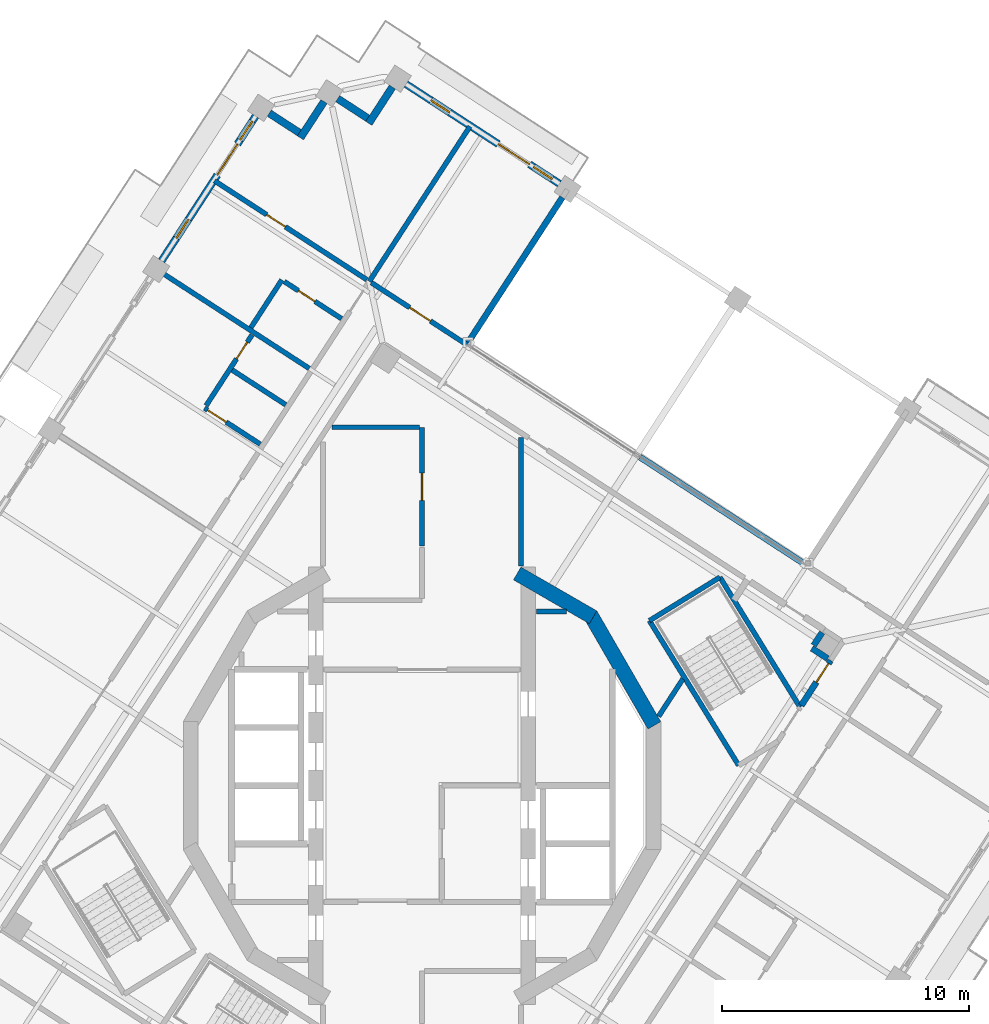
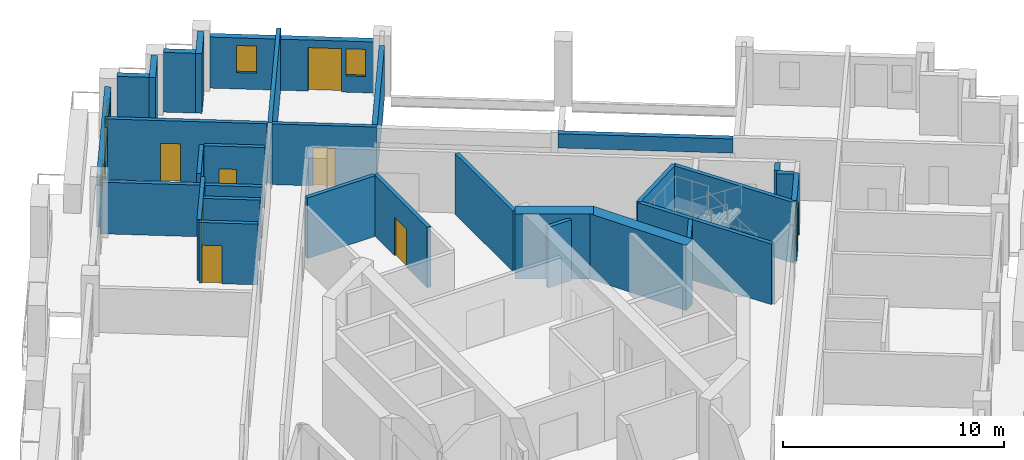
# One storey, part 10 of 17: 30 walls, 9 doors, 4 windows, 13 openings.
"""IFC4 building model written with IfcOpenShell, lengths in metres."""

from ifc_helpers import new_model, si_unit, direction, frame, frame_2d, origin, place, context, subcontext, project, spatial, rectangle, extrude, material, layer, layer_set, type_object, element, fill, save


model = new_model("IFC4")

# Units and contexts
model_context = context("Model", 3, precision=1e-05, world=origin(), true_north=direction((0.0, 1.0)))
body_context = subcontext(model_context, "Body", "Model", "MODEL_VIEW")
ifc_project = project(units=[si_unit("LENGTHUNIT", "METRE"), si_unit("AREAUNIT", "SQUARE_METRE"), si_unit("VOLUMEUNIT", "CUBIC_METRE"), si_unit("PLANEANGLEUNIT", "RADIAN"), si_unit("MASSUNIT", "GRAM", prefix="KILO")], contexts=[model_context])

# Site, building, storey
site_placement = place(None, origin())
site = spatial("IfcSite", under=ifc_project, at=site_placement, CompositionType="ELEMENT")
building_placement = place(site_placement, origin())
building = spatial("IfcBuilding", under=site, at=building_placement, Name="Cantera Rosa Tower", CompositionType="ELEMENT")
storey_placement = place(building_placement, frame((0.0, 0.0, 275.699951171875)))
storey = spatial("IfcBuildingStorey", under=building, at=storey_placement, Name="L62", CompositionType="ELEMENT", Elevation=275.699951171875)

# Wall, opening, door
ifc_material_1 = material(Name="Gypsum board partition")
ifc_layer_1 = layer(ifc_material_1, 0.199951171875)
ifc_layer_set_1 = layer_set([ifc_layer_1], Name="CORRIDOR WALL 200 H3350")
wall_type_1 = type_object("IfcWallType", Name="CORRIDOR WALL 200 H3350", PredefinedType="PARTITIONING", material=ifc_layer_set_1)
wall_1_placement = place(storey_placement, frame((0.0, 9.689208984375, 0.0), z_axis=(0.0, 0.0, 1.0), x_axis=(0.0, 1.0, 0.0)))
wall_1 = element("IfcWall", 1, at=wall_1_placement, inside=storey, type_object=wall_type_1, Name="CORRIDOR WALL L62-058", PredefinedType="PARTITIONING", context=body_context, shape_type="SweptSolid", body=[
    extrude(rectangle(XDim=4.810791015625, YDim=0.199951171875, at=frame_2d((2.4052734375, 0.0))), origin(), (0.0, 0.0, 1.0), 3.35009765625),
])
opening_1_placement = place(wall_1_placement, frame((1.85546875, 0.0, 0.0)))
opening_1 = element("IfcOpeningElement", 2, at=opening_1_placement, cuts=wall_1, Name="Opening L62-013", PredefinedType="OPENING", context=body_context, shape_type="SweptSolid", body=[
    extrude(rectangle(XDim=1.10009765625, YDim=2.10009765625, at=frame_2d((0.550048828125, 1.050048828125))), frame((0.0, 0.10986328125, 0.0), z_axis=(0.0, -1.0, 0.0), x_axis=(1.0, 0.0, 0.0)), (0.0, 0.0, 1.0), 0.219970703125),
])
ifc_material_2 = material(Name="Timber door leaf", Category="wood")
door_type_1 = type_object("IfcDoorType", Name="ROOM DOOR 1100x2100", OperationType="NOTDEFINED", PredefinedType="DOOR", material=ifc_material_2)
door_1_placement = place(opening_1_placement, origin())
door_1 = element("IfcDoor", 3, at=door_1_placement, inside=storey, type_object=door_type_1, Name="DOOR L62-013", OperationType="NOTDEFINED", OverallHeight=2.10009765625, OverallWidth=1.10009765625, PredefinedType="DOOR", context=body_context, shape_type="SweptSolid", body=[
    extrude(rectangle(XDim=1.10009765625, YDim=2.10009765625, at=frame_2d((0.550048828125, 1.050048828125))), frame((0.0, 0.02490234375, 0.0), z_axis=(0.0, -1.0, 0.0), x_axis=(1.0, 0.0, 0.0)), (0.0, 0.0, 1.0), 0.050048828125),
])
fill(opening_1, door_1)

# Walls
wall_2_placement = place(storey_placement, frame((-0.10009765625, 14.5, 0.0), z_axis=(0.0, 0.0, 1.0), x_axis=(-1.0, 0.0, 0.0)))
element("IfcWall", 4, at=wall_2_placement, inside=storey, type_object=wall_type_1, Name="CORRIDOR WALL L62-059", PredefinedType="PARTITIONING", context=body_context, shape_type="SweptSolid", body=[
    extrude(rectangle(XDim=3.538818359375, YDim=0.199951171875, at=frame_2d((1.76953125, 0.0))), origin(), (0.0, 0.0, 1.0), 3.35009765625),
])
wall_3_placement = place(storey_placement, frame((4.0, 8.87890625, 0.0), z_axis=(0.0, 0.0, 1.0), x_axis=(0.0, 1.0, 0.0)))
element("IfcWall", 5, at=wall_3_placement, inside=storey, type_object=wall_type_1, Name="CORRIDOR WALL L62-069", PredefinedType="PARTITIONING", context=body_context, shape_type="SweptSolid", body=[
    extrude(rectangle(XDim=5.21533203125, YDim=0.199951171875, at=frame_2d((2.607666015625, 0.0))), origin(), (0.0, 0.0, 1.0), 3.35009765625),
])

# Wall, opening, door
wall_4_placement = place(storey_placement, frame((1.914794921875, 17.77490234375, 0.0), z_axis=(0.0, 0.0, 1.0), x_axis=(-0.838698511903, 0.544596002677, 0.0)))
wall_4 = element("IfcWall", 6, at=wall_4_placement, inside=storey, type_object=wall_type_1, Name="CORRIDOR WALL L62-105", PredefinedType="PARTITIONING", context=body_context, shape_type="SweptSolid", body=[
    extrude(rectangle(XDim=4.72509765625, YDim=0.199951171875, at=frame_2d((2.362548828125, 0.0))), origin(), (0.0, 0.0, 1.0), 3.35009765625),
])
opening_2_placement = place(wall_4_placement, frame((1.875, 0.0, 0.0)))
opening_2 = element("IfcOpeningElement", 7, at=opening_2_placement, cuts=wall_4, Name="Opening L62-021", PredefinedType="OPENING", context=body_context, shape_type="SweptSolid", body=[
    extrude(rectangle(XDim=1.0, YDim=2.10009765625, at=frame_2d((0.5, 1.050048828125))), frame((0.0, 0.10986328125, 0.0), z_axis=(0.0, -1.0, 0.0), x_axis=(1.0, 0.0, 0.0)), (0.0, 0.0, 1.0), 0.219970703125),
])
ifc_material_3 = material(Name="Timber door leaf", Category="wood")
door_type_2 = type_object("IfcDoorType", Name="ROOM DOOR 1000x2100", OperationType="NOTDEFINED", PredefinedType="DOOR", material=ifc_material_3)
door_2_placement = place(opening_2_placement, origin())
door_2 = element("IfcDoor", 8, at=door_2_placement, inside=storey, type_object=door_type_2, Name="DOOR L62-021", OperationType="NOTDEFINED", OverallHeight=2.10009765625, OverallWidth=1.0, PredefinedType="DOOR", context=body_context, shape_type="SweptSolid", body=[
    extrude(rectangle(XDim=1.0, YDim=2.10009765625, at=frame_2d((0.5, 1.050048828125))), frame((0.0, 0.02490234375, 0.0), z_axis=(0.0, -1.0, 0.0), x_axis=(1.0, 0.0, 0.0)), (0.0, 0.0, 1.0), 0.050048828125),
])
fill(opening_2, door_2)

# Walls
ifc_material_4 = material(Name="Hollow clay masonry with cantera stone cladding", Category="masonry")
ifc_layer_2 = layer(ifc_material_4, 0.300048828125)
ifc_layer_set_2 = layer_set([ifc_layer_2], Name="EW-LOGGIA 300")
wall_type_2 = type_object("IfcWallType", Name="EW-LOGGIA 300", PredefinedType="SOLIDWALL", material=ifc_layer_set_2)
wall_5_placement = place(storey_placement, frame((-1.2001953125, 28.263427734375, 0.0), z_axis=(0.0, 0.0, 1.0), x_axis=(-0.54461563776, -0.838685761837, 0.0)))
element("IfcWall", 9, at=wall_5_placement, inside=storey, type_object=wall_type_2, Name="EN-L62-W05a", PredefinedType="SOLIDWALL", context=body_context, shape_type="SweptSolid", body=[
    extrude(rectangle(XDim=1.75, YDim=0.300048828125, at=frame_2d((0.875, 0.0))), origin(), (0.0, 0.0, 1.0), 3.300048828125),
])
wall_6_placement = place(storey_placement, frame((-2.197509765625, 27.003173828125, 0.0), z_axis=(0.0, 0.0, 1.0), x_axis=(-0.838647435384, 0.54467465438, 0.0)))
element("IfcWall", 10, at=wall_6_placement, inside=storey, type_object=wall_type_2, Name="EN-L62-W05b", PredefinedType="SOLIDWALL", context=body_context, shape_type="SweptSolid", body=[
    extrude(rectangle(XDim=1.449951171875, YDim=0.300048828125, at=frame_2d((0.72509765625, 0.0))), origin(), (0.0, 0.0, 1.0), 3.300048828125),
])
wall_7_placement = place(storey_placement, frame((-3.966796875, 27.67529296875, 0.0), z_axis=(0.0, 0.0, 1.0), x_axis=(-0.544679362749, -0.83864437743, 0.0)))
element("IfcWall", 11, at=wall_7_placement, inside=storey, type_object=wall_type_2, Name="EN-L62-W06a", PredefinedType="SOLIDWALL", context=body_context, shape_type="SweptSolid", body=[
    extrude(rectangle(XDim=1.75, YDim=0.300048828125, at=frame_2d((0.875, 0.0))), origin(), (0.0, 0.0, 1.0), 3.300048828125),
])
wall_8_placement = place(storey_placement, frame((-4.964111328125, 26.415283203125, 0.0), z_axis=(0.0, 0.0, 1.0), x_axis=(-0.838724343483, 0.544556218997, 0.0)))
element("IfcWall", 12, at=wall_8_placement, inside=storey, type_object=wall_type_2, Name="EN-L62-W06b", PredefinedType="SOLIDWALL", context=body_context, shape_type="SweptSolid", body=[
    extrude(rectangle(XDim=1.449951171875, YDim=0.300048828125, at=frame_2d((0.72509765625, 0.0))), origin(), (0.0, 0.0, 1.0), 3.300048828125),
])

# Wall, openings, windows, door
ifc_material_5 = material(Name="Hollow clay masonry with cantera stone cladding", Category="masonry")
ifc_layer_3 = layer(ifc_material_5, 0.300048828125)
ifc_layer_set_3 = layer_set([ifc_layer_3], Name="EW-LOGGIA 300 H2820")
wall_type_3 = type_object("IfcWallType", Name="EW-LOGGIA 300 H2820", PredefinedType="SOLIDWALL", material=ifc_layer_set_3)
wall_9_placement = place(storey_placement, frame((5.559326171875, 24.350830078125, 0.0), z_axis=(0.0, 0.0, 1.0), x_axis=(-0.838679465365, 0.544625333946, 0.0)))
wall_9 = element("IfcWall", 13, at=wall_9_placement, inside=storey, type_object=wall_type_3, Name="EN-L62-W04", PredefinedType="SOLIDWALL", context=body_context, shape_type="SweptSolid", body=[
    extrude(rectangle(XDim=7.400146484375, YDim=0.300048828125, at=frame_2d((3.7001953125, 0.0))), origin(), (0.0, 0.0, 1.0), 2.820068359375),
])
opening_3_placement = place(wall_9_placement, frame((0.35009765625, 0.0, 0.89990234375)))
opening_3 = element("IfcOpeningElement", 14, at=opening_3_placement, cuts=wall_9, Name="Opening L62-W04", PredefinedType="OPENING", context=body_context, shape_type="SweptSolid", body=[
    extrude(rectangle(XDim=0.89990234375, YDim=1.5, at=frame_2d((0.449951171875, 0.75))), frame((0.0, 0.159912109375, 0.0), z_axis=(0.0, -1.0, 0.0), x_axis=(1.0, 0.0, 0.0)), (0.0, 0.0, 1.0), 0.320068359375),
])
opening_4_placement = place(wall_9_placement, frame((1.449951171875, 0.0, 0.0)))
opening_4 = element("IfcOpeningElement", 15, at=opening_4_placement, cuts=wall_9, Name="Opening L62-TD05", PredefinedType="OPENING", context=body_context, shape_type="SweptSolid", body=[
    extrude(rectangle(XDim=1.5, YDim=2.39990234375, at=frame_2d((0.75, 1.199951171875))), frame((0.0, 0.159912109375, 0.0), z_axis=(0.0, -1.0, 0.0), x_axis=(1.0, 0.0, 0.0)), (0.0, 0.0, 1.0), 0.320068359375),
])
opening_5_placement = place(wall_9_placement, frame((5.300048828125, 0.0, 0.89990234375)))
opening_5 = element("IfcOpeningElement", 16, at=opening_5_placement, cuts=wall_9, Name="Opening L62-W06", PredefinedType="OPENING", context=body_context, shape_type="SweptSolid", body=[
    extrude(rectangle(XDim=0.89990234375, YDim=1.5, at=frame_2d((0.449951171875, 0.75))), frame((0.0, 0.159912109375, 0.0), z_axis=(0.0, -1.0, 0.0), x_axis=(1.0, 0.0, 0.0)), (0.0, 0.0, 1.0), 0.320068359375),
])
ifc_material_6 = material(Name="Aluminium frame with clear glass", Category="aluminium")
window_type = type_object("IfcWindowType", Name="Residential window 900x1500", PartitioningType="SINGLE_PANEL", PredefinedType="WINDOW", material=ifc_material_6)
window_1_placement = place(opening_3_placement, origin())
window_1 = element("IfcWindow", 17, at=window_1_placement, inside=storey, type_object=window_type, Name="WINDOW L62-W04", OverallHeight=1.5, OverallWidth=0.89990234375, PartitioningType="SINGLE_PANEL", PredefinedType="WINDOW", context=body_context, shape_type="SweptSolid", body=[
    extrude(rectangle(XDim=0.89990234375, YDim=1.5, at=frame_2d((0.449951171875, 0.75))), frame((0.0, 0.030029296875, 0.0), z_axis=(0.0, -1.0, 0.0), x_axis=(1.0, 0.0, 0.0)), (0.0, 0.0, 1.0), 0.06005859375),
])
fill(opening_3, window_1)
window_2_placement = place(opening_5_placement, origin())
window_2 = element("IfcWindow", 18, at=window_2_placement, inside=storey, type_object=window_type, Name="WINDOW L62-W06", OverallHeight=1.5, OverallWidth=0.89990234375, PartitioningType="SINGLE_PANEL", PredefinedType="WINDOW", context=body_context, shape_type="SweptSolid", body=[
    extrude(rectangle(XDim=0.89990234375, YDim=1.5, at=frame_2d((0.449951171875, 0.75))), frame((0.0, 0.030029296875, 0.0), z_axis=(0.0, -1.0, 0.0), x_axis=(1.0, 0.0, 0.0)), (0.0, 0.0, 1.0), 0.06005859375),
])
fill(opening_5, window_2)
ifc_material_7 = material(Name="Aluminium frame with clear glass", Category="aluminium")
door_type_3 = type_object("IfcDoorType", Name="TD-R 1500x2400", OperationType="NOTDEFINED", PredefinedType="DOOR", material=ifc_material_7)
door_3_placement = place(opening_4_placement, origin())
door_3 = element("IfcDoor", 19, at=door_3_placement, inside=storey, type_object=door_type_3, Name="LOGGIA DOOR L62-TD05", OperationType="SLIDING_TO_LEFT", OverallHeight=2.39990234375, OverallWidth=1.5, PredefinedType="DOOR", context=body_context, shape_type="SweptSolid", body=[
    extrude(rectangle(XDim=1.5, YDim=2.39990234375, at=frame_2d((0.75, 1.199951171875))), frame((0.0, 0.02490234375, 0.0), z_axis=(0.0, -1.0, 0.0), x_axis=(1.0, 0.0, 0.0)), (0.0, 0.0, 1.0), 0.050048828125),
])
fill(opening_4, door_3)

ifc_material_8 = material(Name="Hollow clay masonry with cantera stone cladding", Category="masonry")
ifc_layer_4 = layer(ifc_material_8, 0.300048828125)
ifc_layer_set_4 = layer_set([ifc_layer_4], Name="EW-LOGGIA 300 H2890")
wall_type_4 = type_object("IfcWallType", Name="EW-LOGGIA 300 H2890", PredefinedType="SOLIDWALL", material=ifc_layer_set_4)
wall_10_placement = place(storey_placement, frame((-6.7333984375, 27.08740234375, 0.0), z_axis=(0.0, 0.0, 1.0), x_axis=(-0.544651451949, -0.838662504164, 0.0)))
wall_10 = element("IfcWall", 20, at=wall_10_placement, inside=storey, type_object=wall_type_4, Name="EN-L62-W07", PredefinedType="SOLIDWALL", context=body_context, shape_type="SweptSolid", body=[
    extrude(rectangle(XDim=6.980224609375, YDim=0.300048828125, at=frame_2d((3.490234375, 0.0))), origin(), (0.0, 0.0, 1.0), 2.89013671875),
])
opening_6_placement = place(wall_10_placement, frame((0.2451171875, 0.0, 0.89990234375)))
opening_6 = element("IfcOpeningElement", 21, at=opening_6_placement, cuts=wall_10, Name="Opening L62-W07", PredefinedType="OPENING", context=body_context, shape_type="SweptSolid", body=[
    extrude(rectangle(XDim=0.89990234375, YDim=1.5, at=frame_2d((0.449951171875, 0.75))), frame((0.0, 0.159912109375, 0.0), z_axis=(0.0, -1.0, 0.0), x_axis=(1.0, 0.0, 0.0)), (0.0, 0.0, 1.0), 0.320068359375),
])
opening_7_placement = place(wall_10_placement, frame((1.344970703125, 0.0, 0.0)))
opening_7 = element("IfcOpeningElement", 22, at=opening_7_placement, cuts=wall_10, Name="Opening L62-TD08", PredefinedType="OPENING", context=body_context, shape_type="SweptSolid", body=[
    extrude(rectangle(XDim=1.5, YDim=2.39990234375, at=frame_2d((0.75, 1.199951171875))), frame((0.0, 0.159912109375, 0.0), z_axis=(0.0, -1.0, 0.0), x_axis=(1.0, 0.0, 0.0)), (0.0, 0.0, 1.0), 0.320068359375),
])
opening_8_placement = place(wall_10_placement, frame((4.985107421875, 0.0, 0.89990234375)))
opening_8 = element("IfcOpeningElement", 23, at=opening_8_placement, cuts=wall_10, Name="Opening L62-W09", PredefinedType="OPENING", context=body_context, shape_type="SweptSolid", body=[
    extrude(rectangle(XDim=0.89990234375, YDim=1.5, at=frame_2d((0.449951171875, 0.75))), frame((0.0, 0.159912109375, 0.0), z_axis=(0.0, -1.0, 0.0), x_axis=(1.0, 0.0, 0.0)), (0.0, 0.0, 1.0), 0.320068359375),
])
window_3_placement = place(opening_6_placement, origin())
window_3 = element("IfcWindow", 24, at=window_3_placement, inside=storey, type_object=window_type, Name="WINDOW L62-W07", OverallHeight=1.5, OverallWidth=0.89990234375, PartitioningType="SINGLE_PANEL", PredefinedType="WINDOW", context=body_context, shape_type="SweptSolid", body=[
    extrude(rectangle(XDim=0.89990234375, YDim=1.5, at=frame_2d((0.449951171875, 0.75))), frame((0.0, 0.030029296875, 0.0), z_axis=(0.0, -1.0, 0.0), x_axis=(1.0, 0.0, 0.0)), (0.0, 0.0, 1.0), 0.06005859375),
])
fill(opening_6, window_3)
window_4_placement = place(opening_8_placement, origin())
window_4 = element("IfcWindow", 25, at=window_4_placement, inside=storey, type_object=window_type, Name="WINDOW L62-W09", OverallHeight=1.5, OverallWidth=0.89990234375, PartitioningType="SINGLE_PANEL", PredefinedType="WINDOW", context=body_context, shape_type="SweptSolid", body=[
    extrude(rectangle(XDim=0.89990234375, YDim=1.5, at=frame_2d((0.449951171875, 0.75))), frame((0.0, 0.030029296875, 0.0), z_axis=(0.0, -1.0, 0.0), x_axis=(1.0, 0.0, 0.0)), (0.0, 0.0, 1.0), 0.06005859375),
])
fill(opening_8, window_4)
door_4_placement = place(opening_7_placement, origin())
door_4 = element("IfcDoor", 26, at=door_4_placement, inside=storey, type_object=door_type_3, Name="LOGGIA DOOR L62-TD08", OperationType="SLIDING_TO_LEFT", OverallHeight=2.39990234375, OverallWidth=1.5, PredefinedType="DOOR", context=body_context, shape_type="SweptSolid", body=[
    extrude(rectangle(XDim=1.5, YDim=2.39990234375, at=frame_2d((0.75, 1.199951171875))), frame((0.0, 0.02490234375, 0.0), z_axis=(0.0, -1.0, 0.0), x_axis=(1.0, 0.0, 0.0)), (0.0, 0.0, 1.0), 0.050048828125),
])
fill(opening_7, door_4)

# Walls
ifc_material_9 = material(Name="Concrete C40/50", Category="concrete")
ifc_layer_5 = layer(ifc_material_9, 0.25)
ifc_layer_set_5 = layer_set([ifc_layer_5], Name="EW-POCKET CHEEK 250 H2820")
wall_type_5 = type_object("IfcWallType", Name="EW-POCKET CHEEK 250 H2820", PredefinedType="SOLIDWALL", material=ifc_layer_set_5)
wall_11_placement = place(storey_placement, frame((5.6767578125, 23.79736328125, 0.0), z_axis=(0.0, 0.0, 1.0), x_axis=(-0.544647498784, -0.838665071449, 0.0)))
element("IfcWall", 27, at=wall_11_placement, inside=storey, type_object=wall_type_5, Name="POCKET CHEEK B L62", PredefinedType="SOLIDWALL", context=body_context, shape_type="SweptSolid", body=[
    extrude(rectangle(XDim=7.0, YDim=0.25, at=frame_2d((3.5, 0.0))), origin(), (0.0, 0.0, 1.0), 2.820068359375),
])
ifc_material_10 = material(Name="Hollow clay masonry with cantera stone cladding", Category="masonry")
ifc_layer_6 = layer(ifc_material_10, 0.25)
ifc_layer_set_6 = layer_set([ifc_layer_6], Name="EW-POCKET REAR 250")
wall_type_6 = type_object("IfcWallType", Name="EW-POCKET REAR 250", PredefinedType="SOLIDWALL", material=ifc_layer_set_6)
wall_12_placement = place(storey_placement, frame((15.459228515625, 8.978759765625, 2.51611328125), z_axis=(0.0, 0.0, 1.0), x_axis=(-0.838666055004, 0.544645984273, 0.0)))
element("IfcWall", 28, at=wall_12_placement, inside=storey, type_object=wall_type_6, Name="POCKET SPANDREL L62-1", PredefinedType="SOLIDWALL", context=body_context, shape_type="SweptSolid", body=[
    extrude(rectangle(XDim=7.921630859375, YDim=0.25, at=frame_2d((3.9609375, 0.0))), origin(), (0.0, 0.0, 1.0), 0.783935546875),
])

# Wall, opening, door
ifc_material_11 = material(Name="Gypsum board partition")
ifc_layer_7 = layer(ifc_material_11, 0.199951171875)
ifc_layer_set_7 = layer_set([ifc_layer_7], Name="PARTITION 200 H3350")
wall_type_7 = type_object("IfcWallType", Name="PARTITION 200 H3350", PredefinedType="PARTITIONING", material=ifc_layer_set_7)
wall_13_placement = place(storey_placement, frame((-8.73388671875, 15.377685546875, 0.0), z_axis=(0.0, 0.0, 1.0), x_axis=(0.544681306178, 0.838643115217, 0.0)))
wall_13 = element("IfcWall", 29, at=wall_13_placement, inside=storey, type_object=wall_type_7, Name="PARTITION L62-022", PredefinedType="PARTITIONING", context=body_context, shape_type="SweptSolid", body=[
    extrude(rectangle(XDim=3.41015625, YDim=0.199951171875, at=frame_2d((1.705078125, 0.0))), origin(), (0.0, 0.0, 1.0), 3.35009765625),
])
opening_9_placement = place(wall_13_placement, frame((2.2548828125, 0.0, 0.0)))
opening_9 = element("IfcOpeningElement", 30, at=opening_9_placement, cuts=wall_13, Name="Opening L62-024", PredefinedType="OPENING", context=body_context, shape_type="SweptSolid", body=[
    extrude(rectangle(XDim=0.800048828125, YDim=2.10009765625, at=frame_2d((0.39990234375, 1.050048828125))), frame((0.0, 0.10986328125, 0.0), z_axis=(0.0, -1.0, 0.0), x_axis=(1.0, 0.0, 0.0)), (0.0, 0.0, 1.0), 0.219970703125),
])
ifc_material_12 = material(Name="Timber door leaf", Category="wood")
door_type_4 = type_object("IfcDoorType", Name="BATHROOM DOOR 800x2100", OperationType="NOTDEFINED", PredefinedType="DOOR", material=ifc_material_12)
door_5_placement = place(opening_9_placement, origin())
door_5 = element("IfcDoor", 31, at=door_5_placement, inside=storey, type_object=door_type_4, Name="DOOR L62-024", OperationType="NOTDEFINED", OverallHeight=2.10009765625, OverallWidth=0.800048828125, PredefinedType="DOOR", context=body_context, shape_type="SweptSolid", body=[
    extrude(rectangle(XDim=0.800048828125, YDim=2.10009765625, at=frame_2d((0.39990234375, 1.050048828125))), frame((0.0, 0.02490234375, 0.0), z_axis=(0.0, -1.0, 0.0), x_axis=(1.0, 0.0, 0.0)), (0.0, 0.0, 1.0), 0.050048828125),
])
fill(opening_9, door_5)

# Wall
wall_14_placement = place(storey_placement, frame((-6.924560546875, 18.531005859375, 0.0), z_axis=(0.0, 0.0, 1.0), x_axis=(0.544641320086, 0.838669083999, 0.0)))
element("IfcWall", 32, at=wall_14_placement, inside=storey, type_object=wall_type_7, Name="PARTITION L62-032", PredefinedType="PARTITIONING", context=body_context, shape_type="SweptSolid", body=[
    extrude(rectangle(XDim=2.300048828125, YDim=0.199951171875, at=frame_2d((1.14990234375, 0.0))), origin(), (0.0, 0.0, 1.0), 3.35009765625),
])

# Wall, opening, door
wall_15_placement = place(storey_placement, frame((-6.551513671875, 13.8173828125, 0.0), z_axis=(0.0, 0.0, 1.0), x_axis=(-0.838647527281, 0.544674512884, 0.0)))
wall_15 = element("IfcWall", 33, at=wall_15_placement, inside=storey, type_object=wall_type_7, Name="PARTITION L62-033", PredefinedType="PARTITIONING", context=body_context, shape_type="SweptSolid", body=[
    extrude(rectangle(XDim=2.679931640625, YDim=0.199951171875, at=frame_2d((1.33984375, 0.0))), origin(), (0.0, 0.0, 1.0), 3.35009765625),
])
opening_10_placement = place(wall_15_placement, frame((1.6298828125, 0.0, 0.0)))
opening_10 = element("IfcOpeningElement", 34, at=opening_10_placement, cuts=wall_15, Name="Opening L62-025", PredefinedType="OPENING", context=body_context, shape_type="SweptSolid", body=[
    extrude(rectangle(XDim=0.89990234375, YDim=2.10009765625, at=frame_2d((0.449951171875, 1.050048828125))), frame((0.0, 0.10986328125, 0.0), z_axis=(0.0, -1.0, 0.0), x_axis=(1.0, 0.0, 0.0)), (0.0, 0.0, 1.0), 0.219970703125),
])
ifc_material_13 = material(Name="Timber door leaf", Category="wood")
door_type_5 = type_object("IfcDoorType", Name="ROOM DOOR 900x2100", OperationType="NOTDEFINED", PredefinedType="DOOR", material=ifc_material_13)
door_6_placement = place(opening_10_placement, origin())
door_6 = element("IfcDoor", 35, at=door_6_placement, inside=storey, type_object=door_type_5, Name="DOOR L62-025", OperationType="NOTDEFINED", OverallHeight=2.10009765625, OverallWidth=0.89990234375, PredefinedType="DOOR", context=body_context, shape_type="SweptSolid", body=[
    extrude(rectangle(XDim=0.89990234375, YDim=2.10009765625, at=frame_2d((0.449951171875, 1.050048828125))), frame((0.0, 0.02490234375, 0.0), z_axis=(0.0, -1.0, 0.0), x_axis=(1.0, 0.0, 0.0)), (0.0, 0.0, 1.0), 0.050048828125),
])
fill(opening_10, door_6)

wall_16_placement = place(storey_placement, frame((-5.5712890625, 20.39453125, 0.0), z_axis=(0.0, 0.0, 1.0), x_axis=(0.838698153496, -0.544596554637, 0.0)))
wall_16 = element("IfcWall", 36, at=wall_16_placement, inside=storey, type_object=wall_type_7, Name="PARTITION L62-036", PredefinedType="PARTITIONING", context=body_context, shape_type="SweptSolid", body=[
    extrude(rectangle(XDim=2.76025390625, YDim=0.199951171875, at=frame_2d((1.380126953125, 0.0))), origin(), (0.0, 0.0, 1.0), 3.35009765625),
])
opening_11_placement = place(wall_16_placement, frame((0.679931640625, 0.0, 0.0)))
opening_11 = element("IfcOpeningElement", 37, at=opening_11_placement, cuts=wall_16, Name="Opening L62-027", PredefinedType="OPENING", context=body_context, shape_type="SweptSolid", body=[
    extrude(rectangle(XDim=0.800048828125, YDim=2.10009765625, at=frame_2d((0.39990234375, 1.050048828125))), frame((0.0, 0.10986328125, 0.0), z_axis=(0.0, -1.0, 0.0), x_axis=(1.0, 0.0, 0.0)), (0.0, 0.0, 1.0), 0.219970703125),
])
door_7_placement = place(opening_11_placement, origin())
door_7 = element("IfcDoor", 38, at=door_7_placement, inside=storey, type_object=door_type_4, Name="DOOR L62-027", OperationType="NOTDEFINED", OverallHeight=2.10009765625, OverallWidth=0.800048828125, PredefinedType="DOOR", context=body_context, shape_type="SweptSolid", body=[
    extrude(rectangle(XDim=0.800048828125, YDim=2.10009765625, at=frame_2d((0.39990234375, 1.050048828125))), frame((0.0, 0.02490234375, 0.0), z_axis=(0.0, -1.0, 0.0), x_axis=(1.0, 0.0, 0.0)), (0.0, 0.0, 1.0), 0.050048828125),
])
fill(opening_11, door_7)

# Wall
wall_17_placement = place(storey_placement, frame((-5.5166015625, 15.410888671875, 0.0), z_axis=(0.0, 0.0, 1.0), x_axis=(-0.838700801883, 0.544592476005, 0.0)))
element("IfcWall", 39, at=wall_17_placement, inside=storey, type_object=wall_type_7, Name="PARTITION L62-037", PredefinedType="PARTITIONING", context=body_context, shape_type="SweptSolid", body=[
    extrude(rectangle(XDim=2.580078125, YDim=0.199951171875, at=frame_2d((1.2900390625, 0.0))), origin(), (0.0, 0.0, 1.0), 3.35009765625),
])

# Wall, opening, door
wall_18_placement = place(storey_placement, frame((-2.232421875, 20.468017578125, 0.0), z_axis=(0.0, 0.0, 1.0), x_axis=(-0.838668934217, 0.544641550729, 0.0)))
wall_18 = element("IfcWall", 40, at=wall_18_placement, inside=storey, type_object=wall_type_7, Name="PARTITION L62-050", PredefinedType="PARTITIONING", context=body_context, shape_type="SweptSolid", body=[
    extrude(rectangle(XDim=7.35009765625, YDim=0.199951171875, at=frame_2d((3.675048828125, 0.0))), origin(), (0.0, 0.0, 1.0), 3.35009765625),
])
opening_12_placement = place(wall_18_placement, frame((3.929931640625, 0.0, 0.0)))
opening_12 = element("IfcOpeningElement", 41, at=opening_12_placement, cuts=wall_18, Name="Opening L62-028", PredefinedType="OPENING", context=body_context, shape_type="SweptSolid", body=[
    extrude(rectangle(XDim=0.89990234375, YDim=2.10009765625, at=frame_2d((0.449951171875, 1.050048828125))), frame((0.0, 0.10986328125, 0.0), z_axis=(0.0, -1.0, 0.0), x_axis=(1.0, 0.0, 0.0)), (0.0, 0.0, 1.0), 0.219970703125),
])
door_8_placement = place(opening_12_placement, origin())
door_8 = element("IfcDoor", 42, at=door_8_placement, inside=storey, type_object=door_type_5, Name="DOOR L62-028", OperationType="NOTDEFINED", OverallHeight=2.10009765625, OverallWidth=0.89990234375, PredefinedType="DOOR", context=body_context, shape_type="SweptSolid", body=[
    extrude(rectangle(XDim=0.89990234375, YDim=2.10009765625, at=frame_2d((0.449951171875, 1.050048828125))), frame((0.0, 0.02490234375, 0.0), z_axis=(0.0, -1.0, 0.0), x_axis=(1.0, 0.0, 0.0)), (0.0, 0.0, 1.0), 0.050048828125),
])
fill(opening_12, door_8)

# Walls
wall_19_placement = place(storey_placement, frame((4.6298828125, 7.050048828125, 0.0), z_axis=(0.0, 0.0, 1.0), x_axis=(1.0, 0.0, 0.0)))
element("IfcWall", 43, at=wall_19_placement, inside=storey, type_object=wall_type_7, Name="PARTITION L62-071", PredefinedType="PARTITIONING", context=body_context, shape_type="SweptSolid", body=[
    extrude(rectangle(XDim=1.2177734375, YDim=0.199951171875, at=frame_2d((0.60888671875, 0.0))), origin(), (0.0, 0.0, 1.0), 3.35009765625),
])
wall_20_placement = place(storey_placement, frame((9.5703125, 2.802490234375, 0.0), z_axis=(0.0, 0.0, 1.0), x_axis=(0.544578176642, 0.838710086696, 0.0)))
element("IfcWall", 44, at=wall_20_placement, inside=storey, type_object=wall_type_7, Name="PARTITION L62-081", PredefinedType="PARTITIONING", context=body_context, shape_type="SweptSolid", body=[
    extrude(rectangle(XDim=1.799560546875, YDim=0.199951171875, at=frame_2d((0.89990234375, 0.0))), origin(), (0.0, 0.0, 1.0), 3.35009765625),
])
ifc_material_14 = material(Name="Gypsum board partition")
ifc_layer_8 = layer(ifc_material_14, 0.199951171875)
ifc_layer_set_8 = layer_set([ifc_layer_8], Name="PARTY WALL 200 H2850")
wall_type_8 = type_object("IfcWallType", Name="PARTY WALL 200 H2850", PredefinedType="PARTITIONING", material=ifc_layer_set_8)
wall_21_placement = place(storey_placement, frame((-10.727783203125, 20.881591796875, 0.0), z_axis=(0.0, 0.0, 1.0), x_axis=(0.838659080818, -0.544656723232, 0.0)))
element("IfcWall", 45, at=wall_21_placement, inside=storey, type_object=wall_type_8, Name="PARTY WALL L62-015", PredefinedType="PARTITIONING", context=body_context, shape_type="SweptSolid", body=[
    extrude(rectangle(XDim=7.349853515625, YDim=0.199951171875, at=frame_2d((3.6748046875, 0.0))), origin(), (0.0, 0.0, 1.0), 2.85009765625),
])
ifc_material_15 = material(Name="Gypsum board partition")
ifc_layer_9 = layer(ifc_material_15, 0.199951171875)
ifc_layer_set_9 = layer_set([ifc_layer_9], Name="PARTY WALL 200 H3350")
wall_type_9 = type_object("IfcWallType", Name="PARTY WALL 200 H3350", PredefinedType="PARTITIONING", material=ifc_layer_set_9)
wall_22_placement = place(storey_placement, frame((-2.1318359375, 20.402587890625, 0.0), z_axis=(0.0, 0.0, 1.0), x_axis=(0.544628730556, 0.838677259649, 0.0)))
element("IfcWall", 46, at=wall_22_placement, inside=storey, type_object=wall_type_9, Name="PARTY WALL L62-051", PredefinedType="PARTITIONING", context=body_context, shape_type="SweptSolid", body=[
    extrude(rectangle(XDim=7.469970703125, YDim=0.199951171875, at=frame_2d((3.73486328125, 0.0))), origin(), (0.0, 0.0, 1.0), 3.35009765625),
])
ifc_material_16 = material(Name="Concrete C50/60", Category="concrete")
ifc_layer_10 = layer(ifc_material_16, 0.60009765625)
ifc_layer_set_10 = layer_set([ifc_layer_10], Name="RC CORE WALL 600 C50/60")
wall_type_10 = type_object("IfcWallType", Name="RC CORE WALL 600 C50/60", PredefinedType="SHEAR", material=ifc_layer_set_10)
wall_23_placement = place(storey_placement, frame((3.85009765625, 8.584228515625, 0.0), z_axis=(0.0, 0.0, 1.0), x_axis=(0.866039982607, -0.499974747889, 0.0)))
element("IfcWall", 47, at=wall_23_placement, inside=storey, type_object=wall_type_10, Name="CW-E1 L62", PredefinedType="SHEAR", context=body_context, shape_type="SweptSolid", body=[
    extrude(rectangle(XDim=3.546142578125, YDim=0.60009765625, at=frame_2d((1.77294921875, 0.0))), origin(), (0.0, 0.0, 1.0), 3.60009765625),
])
wall_24_placement = place(storey_placement, frame((6.811279296875, 6.921142578125, 0.0), z_axis=(0.0, 0.0, 1.0), x_axis=(0.499989188378, -0.866031645787, 0.0)))
element("IfcWall", 48, at=wall_24_placement, inside=storey, type_object=wall_type_10, Name="CW-E2 L62", PredefinedType="SHEAR", context=body_context, shape_type="SweptSolid", body=[
    extrude(rectangle(XDim=5.17626953125, YDim=0.60009765625, at=frame_2d((2.588134765625, 0.0))), origin(), (0.0, 0.0, 1.0), 3.60009765625),
])

# Wall, opening, door
ifc_material_17 = material(Name="Masonry blockwork", Category="masonry")
ifc_layer_11 = layer(ifc_material_17, 0.25)
ifc_layer_set_11 = layer_set([ifc_layer_11], Name="SHAFT WALL 250 H3350")
wall_type_11 = type_object("IfcWallType", Name="SHAFT WALL 250 H3350", PredefinedType="SOLIDWALL", material=ifc_layer_set_11)
wall_25_placement = place(storey_placement, frame((15.3408203125, 3.2421875, 0.0), z_axis=(0.0, 0.0, 1.0), x_axis=(0.5445859656, 0.838705029239, 0.0)))
wall_25 = element("IfcWall", 49, at=wall_25_placement, inside=storey, type_object=wall_type_11, Name="SHAFT WALL L62-094", PredefinedType="SOLIDWALL", context=body_context, shape_type="SweptSolid", body=[
    extrude(rectangle(XDim=2.175537109375, YDim=0.25, at=frame_2d((1.087890625, 0.0))), origin(), (0.0, 0.0, 1.0), 3.35009765625),
])
opening_13_placement = place(wall_25_placement, frame((1.125244140625, 0.0, 0.0)))
opening_13 = element("IfcOpeningElement", 50, at=opening_13_placement, cuts=wall_25, Name="Opening L62-006", PredefinedType="OPENING", context=body_context, shape_type="SweptSolid", body=[
    extrude(rectangle(XDim=0.89990234375, YDim=2.10009765625, at=frame_2d((0.449951171875, 1.050048828125))), frame((0.0, 0.135009765625, 0.0), z_axis=(0.0, -1.0, 0.0), x_axis=(1.0, 0.0, 0.0)), (0.0, 0.0, 1.0), 0.27001953125),
])
ifc_material_18 = material(Name="Timber door leaf", Category="wood")
door_type_6 = type_object("IfcDoorType", Name="SERVICE DOOR 900x2100", OperationType="NOTDEFINED", PredefinedType="DOOR", material=ifc_material_18)
door_9_placement = place(opening_13_placement, origin())
door_9 = element("IfcDoor", 51, at=door_9_placement, inside=storey, type_object=door_type_6, Name="RISER DOOR L62-006", OperationType="NOTDEFINED", OverallHeight=2.10009765625, OverallWidth=0.89990234375, PredefinedType="DOOR", context=body_context, shape_type="SweptSolid", body=[
    extrude(rectangle(XDim=0.89990234375, YDim=2.10009765625, at=frame_2d((0.449951171875, 1.050048828125))), frame((0.0, 0.02490234375, 0.0), z_axis=(0.0, -1.0, 0.0), x_axis=(1.0, 0.0, 0.0)), (0.0, 0.0, 1.0), 0.050048828125),
])
fill(opening_13, door_9)

# Walls
wall_26_placement = place(storey_placement, frame((15.77099609375, 5.55712890625, 0.0), z_axis=(0.0, 0.0, 1.0), x_axis=(0.838517009777, -0.544875420913, 0.0)))
element("IfcWall", 52, at=wall_26_placement, inside=storey, type_object=wall_type_11, Name="SHAFT WALL L62-096", PredefinedType="SOLIDWALL", context=body_context, shape_type="SweptSolid", body=[
    extrude(rectangle(XDim=0.760009765625, YDim=0.25, at=frame_2d((0.3798828125, 0.0))), origin(), (0.0, 0.0, 1.0), 3.35009765625),
])
wall_27_placement = place(storey_placement, frame((16.184814453125, 6.194580078125, 0.0), z_axis=(0.0, 0.0, 1.0), x_axis=(-0.544573068835, -0.838713403195, 0.0)))
element("IfcWall", 53, at=wall_27_placement, inside=storey, type_object=wall_type_11, Name="SHAFT WALL L62-098", PredefinedType="SOLIDWALL", context=body_context, shape_type="SweptSolid", body=[
    extrude(rectangle(XDim=0.6201171875, YDim=0.25, at=frame_2d((0.31005859375, 0.0))), origin(), (0.0, 0.0, 1.0), 3.35009765625),
])
ifc_material_19 = material(Name="Concrete C50/60", Category="concrete")
ifc_layer_12 = layer(ifc_material_19, 0.199951171875)
ifc_layer_set_12 = layer_set([ifc_layer_12], Name="STAIR WALL 200 H3350")
wall_type_12 = type_object("IfcWallType", Name="STAIR WALL 200 H3350", PredefinedType="SOLIDWALL", material=ifc_layer_set_12)
wall_28_placement = place(storey_placement, frame((9.199462890625, 6.674072265625, 0.0), z_axis=(0.0, 0.0, 1.0), x_axis=(0.524972254536, -0.851119340614, 0.0)))
element("IfcWall", 54, at=wall_28_placement, inside=storey, type_object=wall_type_12, Name="STAIR WALL L62-080", PredefinedType="SOLIDWALL", context=body_context, shape_type="SweptSolid", body=[
    extrude(rectangle(XDim=6.880126953125, YDim=0.199951171875, at=frame_2d((3.43994140625, 0.0))), origin(), (0.0, 0.0, 1.0), 3.35009765625),
])
wall_29_placement = place(storey_placement, frame((12.05078125, 8.4326171875, 0.0), z_axis=(0.0, 0.0, 1.0), x_axis=(-0.85113993661, -0.524938861495, 0.0)))
element("IfcWall", 55, at=wall_29_placement, inside=storey, type_object=wall_type_12, Name="STAIR WALL L62-085", PredefinedType="SOLIDWALL", context=body_context, shape_type="SweptSolid", body=[
    extrude(rectangle(XDim=3.35009765625, YDim=0.199951171875, at=frame_2d((1.675048828125, 0.0))), origin(), (0.0, 0.0, 1.0), 3.35009765625),
])
wall_30_placement = place(storey_placement, frame((15.29541015625, 3.17236328125, 0.0), z_axis=(0.0, 0.0, 1.0), x_axis=(-0.524983142341, 0.851112624896, 0.0)))
element("IfcWall", 56, at=wall_30_placement, inside=storey, type_object=wall_type_12, Name="STAIR WALL L62-093", PredefinedType="SOLIDWALL", context=body_context, shape_type="SweptSolid", body=[
    extrude(rectangle(XDim=6.180419921875, YDim=0.199951171875, at=frame_2d((3.09033203125, 0.0))), origin(), (0.0, 0.0, 1.0), 3.35009765625),
])

save(model, "model.ifc")
